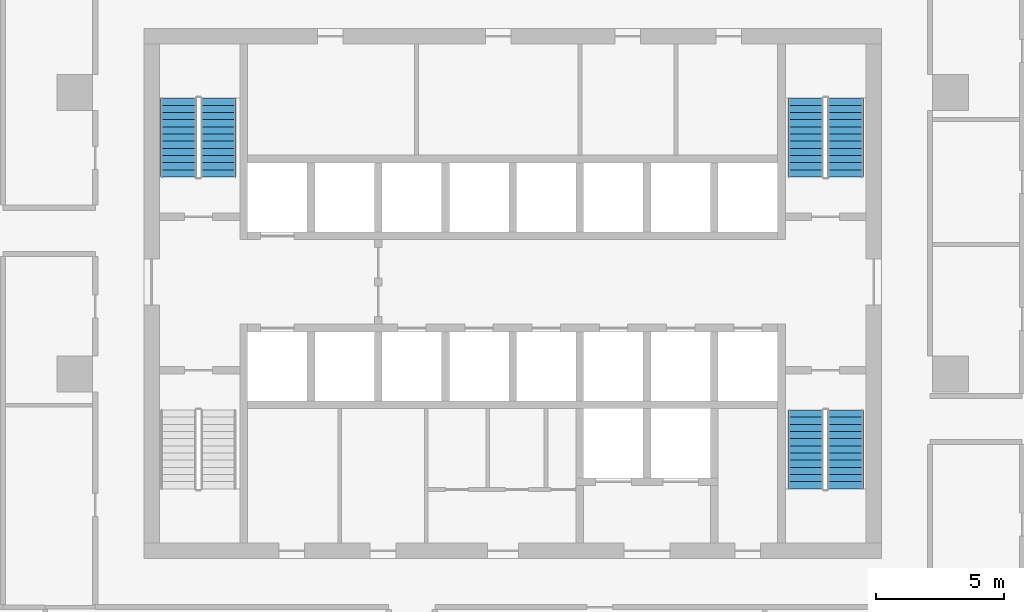
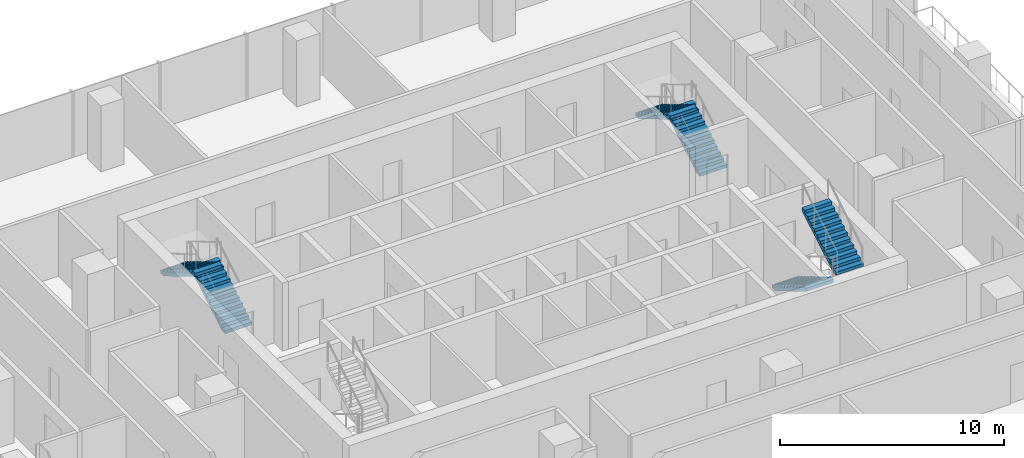
# One storey, part 11 of 15: 6 stair flights, 3 elements without a shape of their own.
"""IFC4 building model written with IfcOpenShell, lengths in metres."""

from ifc_helpers import new_model, si_unit, direction, frame, origin, place, context, subcontext, project, spatial, polyline, outline, extrude, material, type_object, element, aggregate, save


model = new_model("IFC4")

# Units and contexts
model_context = context("Model", 3, precision=1e-05, world=origin(), true_north=direction((0.0, 1.0)))
body_context = subcontext(model_context, "Body", "Model", "MODEL_VIEW")
ifc_project = project(units=[si_unit("LENGTHUNIT", "METRE"), si_unit("AREAUNIT", "SQUARE_METRE"), si_unit("VOLUMEUNIT", "CUBIC_METRE"), si_unit("PLANEANGLEUNIT", "RADIAN"), si_unit("MASSUNIT", "GRAM", prefix="KILO")], contexts=[model_context])

# Site, building, storey
site_placement = place(None, origin())
site = spatial("IfcSite", under=ifc_project, at=site_placement, CompositionType="ELEMENT")
building_placement = place(site_placement, origin())
building = spatial("IfcBuilding", under=site, at=building_placement, Name="Mopane Tessera Tower", CompositionType="ELEMENT")
storey_placement = place(building_placement, frame((0.0, 0.0, 177.0)))
storey = spatial("IfcBuildingStorey", under=building, at=storey_placement, Name="L36", CompositionType="ELEMENT", Elevation=177.0)

# Stair, stair flights
ifc_material_1 = material(Name="Concrete C50/60", Category="concrete")
stair_type = type_object("IfcStairType", Name="Escape stair 1400 mm, riser 167 mm", PredefinedType="HALF_TURN_STAIR", material=ifc_material_1)
stair_1_placement = place(storey_placement, origin())
stair_1 = element("IfcStair", 1, at=stair_1_placement, inside=storey, type_object=stair_type, Name="L36 Escape stair north-west", PredefinedType="HALF_TURN_STAIR")
ifc_material_2 = material(Name="Concrete C50/60", Category="concrete")
stair_flight_type = type_object("IfcStairFlightType", Name="Escape stair flight 1400 mm", PredefinedType="STRAIGHT", material=ifc_material_2)
stair_flight_1_placement = place(storey_placement, frame((-11.5, 7.699951171875, 0.0), z_axis=(0.0, 0.0, 1.0), x_axis=(0.0, 1.0, 0.0)))
stair_flight_1 = element("IfcStairFlight", 2, at=stair_flight_1_placement, type_object=stair_flight_type, Name="ST2 flight 1", NumberOfRisers=12, NumberOfTreads=11, PredefinedType="STRAIGHT", RiserHeight=0.166666667, TreadLength=0.28, context=body_context, shape_type="SweptSolid", body=[
    extrude(outline(polyline([(0.0, 0.0), (0.0, 0.166748046875), (0.280029296875, 0.166748046875), (0.280029296875, 0.333251953125), (0.56005859375, 0.333251953125), (0.56005859375, 0.5), (0.840087890625, 0.5), (0.840087890625, 0.666748046875), (1.1201171875, 0.666748046875), (1.1201171875, 0.833251953125), (1.39990234375, 0.833251953125), (1.39990234375, 1.0), (1.679931640625, 1.0), (1.679931640625, 1.166748046875), (1.9599609375, 1.166748046875), (1.9599609375, 1.333251953125), (2.239990234375, 1.333251953125), (2.239990234375, 1.5), (2.52001953125, 1.5), (2.52001953125, 1.666748046875), (2.800048828125, 1.666748046875), (2.800048828125, 1.833251953125), (3.080078125, 1.833251953125), (3.080078125, 2.0), (3.080078125, 1.658935546875), (0.29296875, 0.0), (0.0, 0.0)])), frame((0.0, 0.699951171875, 0.0), z_axis=(0.0, -1.0, 0.0), x_axis=(1.0, 0.0, 0.0)), (0.0, 0.0, 1.0), 1.39990234375),
])
stair_flight_2_placement = place(storey_placement, frame((-13.050048828125, 10.780029296875, 2.0), z_axis=(0.0, 0.0, 1.0), x_axis=(0.0, -1.0, 0.0)))
stair_flight_2 = element("IfcStairFlight", 3, at=stair_flight_2_placement, type_object=stair_flight_type, Name="ST2 flight 2", NumberOfRisers=12, NumberOfTreads=11, PredefinedType="STRAIGHT", RiserHeight=0.166666667, TreadLength=0.28, context=body_context, shape_type="SweptSolid", body=[
    extrude(outline(polyline([(0.0, 0.0), (0.0, 0.166748046875), (0.280029296875, 0.166748046875), (0.280029296875, 0.333251953125), (0.56005859375, 0.333251953125), (0.56005859375, 0.5), (0.840087890625, 0.5), (0.840087890625, 0.666748046875), (1.1201171875, 0.666748046875), (1.1201171875, 0.833251953125), (1.39990234375, 0.833251953125), (1.39990234375, 1.0), (1.679931640625, 1.0), (1.679931640625, 1.166748046875), (1.9599609375, 1.166748046875), (1.9599609375, 1.333251953125), (2.239990234375, 1.333251953125), (2.239990234375, 1.5), (2.52001953125, 1.5), (2.52001953125, 1.666748046875), (2.800048828125, 1.666748046875), (2.800048828125, 1.833251953125), (3.080078125, 1.833251953125), (3.080078125, 2.0), (3.080078125, 1.658935546875), (0.29296875, 0.0), (0.0, 0.0)])), frame((0.0, 0.699951171875, 0.0), z_axis=(0.0, -1.0, 0.0), x_axis=(1.0, 0.0, 0.0)), (0.0, 0.0, 1.0), 1.39990234375),
])
aggregate(stair_1, [stair_flight_1, stair_flight_2])

stair_2_placement = place(storey_placement, origin())
stair_2 = element("IfcStair", 4, at=stair_2_placement, inside=storey, type_object=stair_type, Name="L36 Escape stair south-east", PredefinedType="HALF_TURN_STAIR")
stair_flight_3_placement = place(storey_placement, frame((11.449951171875, -1.39990234375, 0.0), z_axis=(0.0, 0.0, 1.0), x_axis=(0.0, -1.0, 0.0)))
stair_flight_3 = element("IfcStairFlight", 5, at=stair_flight_3_placement, type_object=stair_flight_type, Name="ST3 flight 1", NumberOfRisers=12, NumberOfTreads=11, PredefinedType="STRAIGHT", RiserHeight=0.166666667, TreadLength=0.28, context=body_context, shape_type="SweptSolid", body=[
    extrude(outline(polyline([(0.0, 0.0), (0.0, 0.166748046875), (0.280029296875, 0.166748046875), (0.280029296875, 0.333251953125), (0.56005859375, 0.333251953125), (0.56005859375, 0.5), (0.840087890625, 0.5), (0.840087890625, 0.666748046875), (1.1201171875, 0.666748046875), (1.1201171875, 0.833251953125), (1.39990234375, 0.833251953125), (1.39990234375, 1.0), (1.679931640625, 1.0), (1.679931640625, 1.166748046875), (1.9599609375, 1.166748046875), (1.9599609375, 1.333251953125), (2.239990234375, 1.333251953125), (2.239990234375, 1.5), (2.52001953125, 1.5), (2.52001953125, 1.666748046875), (2.800048828125, 1.666748046875), (2.800048828125, 1.833251953125), (3.080078125, 1.833251953125), (3.080078125, 2.0), (3.080078125, 1.658935546875), (0.29296875, 0.0), (0.0, 0.0)])), frame((0.0, 0.699951171875, 0.0), z_axis=(0.0, -1.0, 0.0), x_axis=(1.0, 0.0, 0.0)), (0.0, 0.0, 1.0), 1.39990234375),
])
stair_flight_4_placement = place(storey_placement, frame((13.0, -4.47998046875, 2.0), z_axis=(0.0, 0.0, 1.0), x_axis=(0.0, 1.0, 0.0)))
stair_flight_4 = element("IfcStairFlight", 6, at=stair_flight_4_placement, type_object=stair_flight_type, Name="ST3 flight 2", NumberOfRisers=12, NumberOfTreads=11, PredefinedType="STRAIGHT", RiserHeight=0.166666667, TreadLength=0.28, context=body_context, shape_type="SweptSolid", body=[
    extrude(outline(polyline([(0.0, 0.0), (0.0, 0.166748046875), (0.280029296875, 0.166748046875), (0.280029296875, 0.333251953125), (0.56005859375, 0.333251953125), (0.56005859375, 0.5), (0.840087890625, 0.5), (0.840087890625, 0.666748046875), (1.1201171875, 0.666748046875), (1.1201171875, 0.833251953125), (1.39990234375, 0.833251953125), (1.39990234375, 1.0), (1.679931640625, 1.0), (1.679931640625, 1.166748046875), (1.9599609375, 1.166748046875), (1.9599609375, 1.333251953125), (2.239990234375, 1.333251953125), (2.239990234375, 1.5), (2.52001953125, 1.5), (2.52001953125, 1.666748046875), (2.800048828125, 1.666748046875), (2.800048828125, 1.833251953125), (3.080078125, 1.833251953125), (3.080078125, 2.0), (3.080078125, 1.658935546875), (0.29296875, 0.0), (0.0, 0.0)])), frame((0.0, 0.699951171875, 0.0), z_axis=(0.0, -1.0, 0.0), x_axis=(1.0, 0.0, 0.0)), (0.0, 0.0, 1.0), 1.39990234375),
])
aggregate(stair_2, [stair_flight_3, stair_flight_4])

stair_3_placement = place(storey_placement, origin())
stair_3 = element("IfcStair", 7, at=stair_3_placement, inside=storey, type_object=stair_type, Name="L36 Escape stair north-east", PredefinedType="HALF_TURN_STAIR")
stair_flight_5_placement = place(storey_placement, frame((13.0, 7.699951171875, 0.0), z_axis=(0.0, 0.0, 1.0), x_axis=(0.0, 1.0, 0.0)))
stair_flight_5 = element("IfcStairFlight", 8, at=stair_flight_5_placement, type_object=stair_flight_type, Name="ST4 flight 1", NumberOfRisers=12, NumberOfTreads=11, PredefinedType="STRAIGHT", RiserHeight=0.166666667, TreadLength=0.28, context=body_context, shape_type="SweptSolid", body=[
    extrude(outline(polyline([(0.0, 0.0), (0.0, 0.166748046875), (0.280029296875, 0.166748046875), (0.280029296875, 0.333251953125), (0.56005859375, 0.333251953125), (0.56005859375, 0.5), (0.840087890625, 0.5), (0.840087890625, 0.666748046875), (1.1201171875, 0.666748046875), (1.1201171875, 0.833251953125), (1.39990234375, 0.833251953125), (1.39990234375, 1.0), (1.679931640625, 1.0), (1.679931640625, 1.166748046875), (1.9599609375, 1.166748046875), (1.9599609375, 1.333251953125), (2.239990234375, 1.333251953125), (2.239990234375, 1.5), (2.52001953125, 1.5), (2.52001953125, 1.666748046875), (2.800048828125, 1.666748046875), (2.800048828125, 1.833251953125), (3.080078125, 1.833251953125), (3.080078125, 2.0), (3.080078125, 1.658935546875), (0.29296875, 0.0), (0.0, 0.0)])), frame((0.0, 0.699951171875, 0.0), z_axis=(0.0, -1.0, 0.0), x_axis=(1.0, 0.0, 0.0)), (0.0, 0.0, 1.0), 1.39990234375),
])
stair_flight_6_placement = place(storey_placement, frame((11.449951171875, 10.780029296875, 2.0), z_axis=(0.0, 0.0, 1.0), x_axis=(0.0, -1.0, 0.0)))
stair_flight_6 = element("IfcStairFlight", 9, at=stair_flight_6_placement, type_object=stair_flight_type, Name="ST4 flight 2", NumberOfRisers=12, NumberOfTreads=11, PredefinedType="STRAIGHT", RiserHeight=0.166666667, TreadLength=0.28, context=body_context, shape_type="SweptSolid", body=[
    extrude(outline(polyline([(0.0, 0.0), (0.0, 0.166748046875), (0.280029296875, 0.166748046875), (0.280029296875, 0.333251953125), (0.56005859375, 0.333251953125), (0.56005859375, 0.5), (0.840087890625, 0.5), (0.840087890625, 0.666748046875), (1.1201171875, 0.666748046875), (1.1201171875, 0.833251953125), (1.39990234375, 0.833251953125), (1.39990234375, 1.0), (1.679931640625, 1.0), (1.679931640625, 1.166748046875), (1.9599609375, 1.166748046875), (1.9599609375, 1.333251953125), (2.239990234375, 1.333251953125), (2.239990234375, 1.5), (2.52001953125, 1.5), (2.52001953125, 1.666748046875), (2.800048828125, 1.666748046875), (2.800048828125, 1.833251953125), (3.080078125, 1.833251953125), (3.080078125, 2.0), (3.080078125, 1.658935546875), (0.29296875, 0.0), (0.0, 0.0)])), frame((0.0, 0.699951171875, 0.0), z_axis=(0.0, -1.0, 0.0), x_axis=(1.0, 0.0, 0.0)), (0.0, 0.0, 1.0), 1.39990234375),
])
aggregate(stair_3, [stair_flight_5, stair_flight_6])

save(model, "model.ifc")
